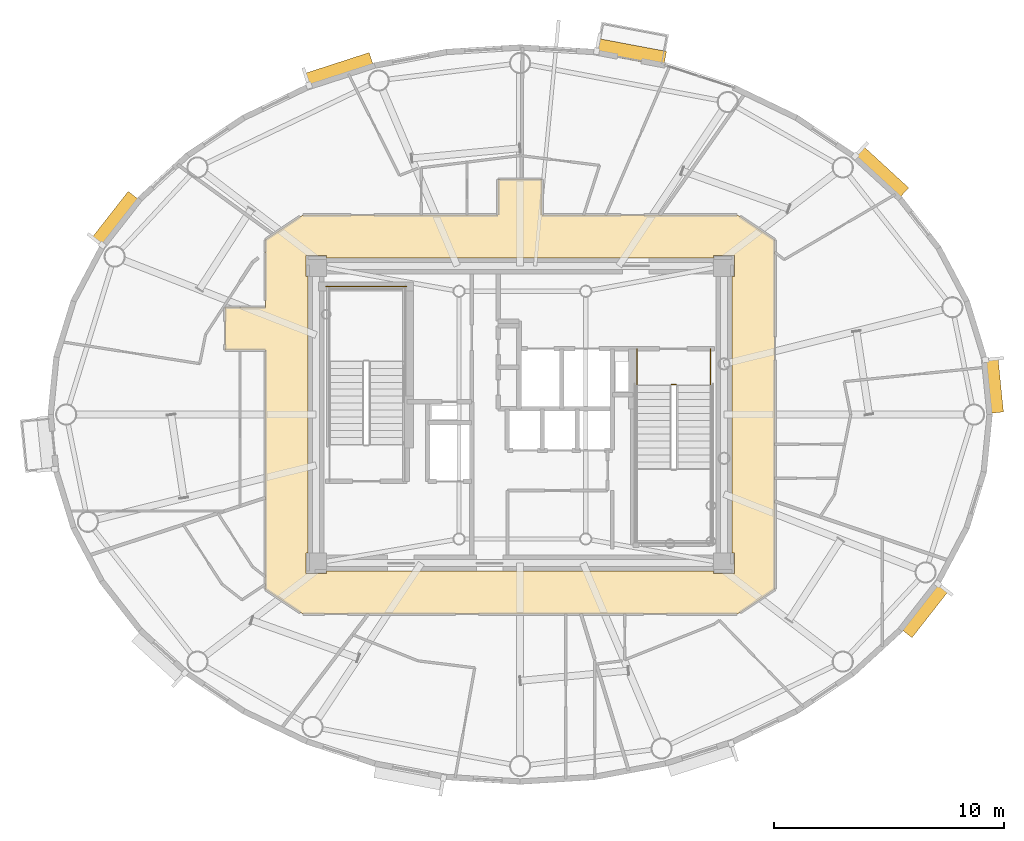
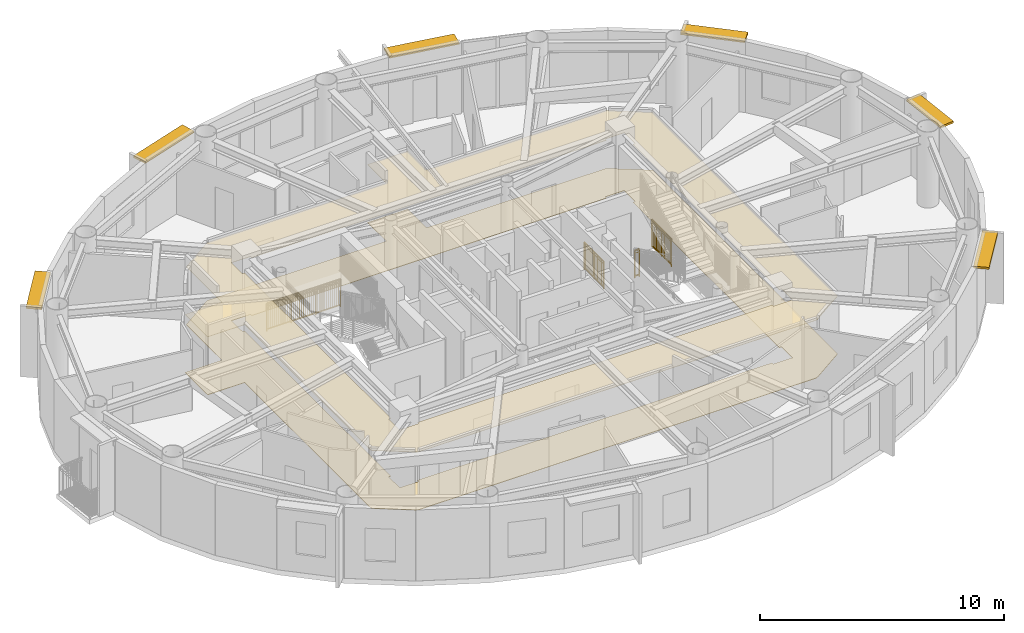
# One storey, part 16 of 17: 6 shading devices, 4 railings, 2 coverings.
"""IFC4 building model written with IfcOpenShell, lengths in metres."""

from ifc_helpers import new_model, si_unit, direction, frame, origin, origin_2d, place, context, subcontext, project, spatial, polyline, rectangle, outline, extrude, source, transform, mapped, material, layer, layer_set, type_object, element, save


model = new_model("IFC4")

# Units and contexts
model_context = context("Model", 3, precision=1e-05, world=origin(), true_north=direction((0.0, 1.0)))
body_context = subcontext(model_context, "Body", "Model", "MODEL_VIEW")
ifc_project = project(units=[si_unit("LENGTHUNIT", "METRE"), si_unit("AREAUNIT", "SQUARE_METRE"), si_unit("VOLUMEUNIT", "CUBIC_METRE"), si_unit("PLANEANGLEUNIT", "RADIAN"), si_unit("MASSUNIT", "GRAM", prefix="KILO")], contexts=[model_context])

# Site, building, storey
site_placement = place(None, origin())
site = spatial("IfcSite", under=ifc_project, at=site_placement, CompositionType="ELEMENT")
building_placement = place(site_placement, origin())
building = spatial("IfcBuilding", under=site, at=building_placement, Name="Linh Dai School and Residence Tower", CompositionType="ELEMENT")
storey_placement = place(building_placement, frame((0.0, 0.0, 327.800048828125)))
storey = spatial("IfcBuildingStorey", under=building, at=storey_placement, Name="L81", CompositionType="ELEMENT", Elevation=327.800048828125)

# Coverings
ifc_material_1 = material(Name="Mineral Fibre Acoustic Suspended Ceiling", Category="masonry")
ifc_layer_1 = layer(ifc_material_1, 0.02001953125)
ifc_layer_set_1 = layer_set([ifc_layer_1], Name="Mineral Fibre Acoustic Suspended Ceiling")
covering_type_1 = type_object("IfcCoveringType", Name="COV-CEIL-AC-20", PredefinedType="CEILING", material=ifc_layer_set_1)
covering_1_placement = place(storey_placement, frame((0.0, 0.0, 2.89990234375)))
element("IfcCovering", 1, at=covering_1_placement, inside=storey, type_object=covering_type_1, Name="L81 Residential Floor Corridor Suspended Ceiling", PredefinedType="CEILING", context=body_context, shape_type="SweptSolid", body=[
    extrude(outline(polyline([(23.199951171875, 31.64990234375), (24.949951171875, 31.64990234375), (24.949951171875, 34.58251953125), (26.458740234375, 35.591796875), (26.580078125, 35.64990234375), (35.050048828125, 35.64990234375), (35.050048828125, 37.199951171875), (36.949951171875, 37.199951171875), (36.949951171875, 35.64990234375), (45.419921875, 35.64990234375), (45.541259765625, 35.591796875), (47.050048828125, 34.58251953125), (47.050048828125, 19.41748046875), (45.541259765625, 18.408203125), (45.419921875, 18.35009765625), (26.580078125, 18.35009765625), (26.458740234375, 18.408203125), (24.949951171875, 19.41748046875), (24.949951171875, 29.800048828125), (23.199951171875, 29.800048828125), (23.199951171875, 31.64990234375)]), holes=[polyline([(27.60009765625, 33.800048828125), (27.60009765625, 33.89990234375), (26.699951171875, 33.89990234375), (26.699951171875, 33.0), (26.800048828125, 33.0), (26.800048828125, 21.0), (26.699951171875, 21.0), (26.699951171875, 20.10009765625), (27.60009765625, 20.10009765625), (27.60009765625, 20.199951171875), (44.39990234375, 20.199951171875), (44.39990234375, 20.10009765625), (45.300048828125, 20.10009765625), (45.300048828125, 21.0), (45.199951171875, 21.0), (45.199951171875, 33.0), (45.300048828125, 33.0), (45.300048828125, 33.89990234375), (44.39990234375, 33.89990234375), (44.39990234375, 33.800048828125), (27.60009765625, 33.800048828125)])]), origin(), (0.0, 0.0, 1.0), 0.02001953125),
])
ifc_material_2 = material(Name="Polished Terrazzo Floor Finish", Category="masonry")
ifc_layer_2 = layer(ifc_material_2, 0.02490234375)
ifc_layer_set_2 = layer_set([ifc_layer_2], Name="Polished Terrazzo Floor Finish")
covering_type_2 = type_object("IfcCoveringType", Name="COV-FLR-TRZ-25", PredefinedType="FLOORING", material=ifc_layer_set_2)
covering_2_placement = place(storey_placement, origin())
element("IfcCovering", 2, at=covering_2_placement, inside=storey, type_object=covering_type_2, Name="L81 Residential Floor Corridor Floor Finish", PredefinedType="FLOORING", context=body_context, shape_type="SweptSolid", body=[
    extrude(outline(polyline([(23.199951171875, 31.64990234375), (24.949951171875, 31.64990234375), (24.949951171875, 34.58251953125), (26.458740234375, 35.591796875), (26.580078125, 35.64990234375), (35.050048828125, 35.64990234375), (35.050048828125, 37.199951171875), (36.949951171875, 37.199951171875), (36.949951171875, 35.64990234375), (45.419921875, 35.64990234375), (45.541259765625, 35.591796875), (47.050048828125, 34.58251953125), (47.050048828125, 19.41748046875), (45.541259765625, 18.408203125), (45.419921875, 18.35009765625), (26.580078125, 18.35009765625), (26.458740234375, 18.408203125), (24.949951171875, 19.41748046875), (24.949951171875, 29.800048828125), (23.199951171875, 29.800048828125), (23.199951171875, 31.64990234375)]), holes=[polyline([(27.60009765625, 33.800048828125), (27.60009765625, 33.89990234375), (26.699951171875, 33.89990234375), (26.699951171875, 33.0), (26.800048828125, 33.0), (26.800048828125, 21.0), (26.699951171875, 21.0), (26.699951171875, 20.10009765625), (27.60009765625, 20.10009765625), (27.60009765625, 20.199951171875), (44.39990234375, 20.199951171875), (44.39990234375, 20.10009765625), (45.300048828125, 20.10009765625), (45.300048828125, 21.0), (45.199951171875, 21.0), (45.199951171875, 33.0), (45.300048828125, 33.0), (45.300048828125, 33.89990234375), (44.39990234375, 33.89990234375), (44.39990234375, 33.800048828125), (27.60009765625, 33.800048828125)])]), origin(), (0.0, 0.0, 1.0), 0.02001953125),
])

# Shading devices
ifc_material_3 = material(Name="Terracotta Ceramic Sunshade", Category="masonry")
ifc_layer_3 = layer(ifc_material_3, 0.10009765625)
ifc_layer_set_3 = layer_set([ifc_layer_3], Name="Terracotta Ceramic Sunshade")
shading_device_type = type_object("IfcShadingDeviceType", Name="SHD-TC-650", PredefinedType="USERDEFINED", material=ifc_layer_set_3)
shared_shape_1 = source(origin(), body_context, "Body", "SweptSolid", [
    extrude(rectangle(XDim=2.3994140625, YDim=0.64990234375, at=origin_2d()), origin(), (0.0, 0.0, 1.0), 0.10009765625),
])
shading_device_1_placement = place(storey_placement, frame((56.53369140625, 28.27197265625, 3.429931640625), z_axis=(0.0, 0.0, 1.0), x_axis=(0.099991763355, -0.994988264886, 0.0)))
element("IfcShadingDevice", 3, at=shading_device_1_placement, inside=storey, type_object=shading_device_type, Name="L81 Terracotta Horizontal Sunshade Band 01", ObjectType="SUNSHADE", PredefinedType="USERDEFINED", context=body_context, shape_type="MappedRepresentation", body=[
    mapped(shared_shape_1, transform((0.0, 0.0, 0.0), x_axis=(1.0, 0.0, 0.0), y_axis=(0.0, 1.0, 0.0), z_axis=(0.0, 0.0, 1.0), scale=1.0)),
])
shared_shape_2 = source(origin(), body_context, "Body", "SweptSolid", [
    extrude(rectangle(XDim=2.7021484375, YDim=0.64990234375, at=origin_2d()), origin(), (0.0, 0.0, 1.0), 0.10009765625),
])
shading_device_2_placement = place(storey_placement, frame((51.6484375, 37.51318359375, 3.429931640625), z_axis=(0.0, 0.0, 1.0), x_axis=(0.73704750866, -0.675840935412, 0.0)))
element("IfcShadingDevice", 4, at=shading_device_2_placement, inside=storey, type_object=shading_device_type, Name="L81 Terracotta Horizontal Sunshade Band 05", ObjectType="SUNSHADE", PredefinedType="USERDEFINED", context=body_context, shape_type="MappedRepresentation", body=[
    mapped(shared_shape_2, transform((0.0, 0.0, 0.0), x_axis=(1.0, 0.0, 0.0), y_axis=(0.0, 1.0, 0.0), z_axis=(0.0, 0.0, 1.0), scale=1.0)),
])
shared_shape_3 = source(origin(), body_context, "Body", "SweptSolid", [
    extrude(rectangle(XDim=3.040283203125, YDim=0.64990234375, at=origin_2d()), origin(), (0.0, 0.0, 1.0), 0.10009765625),
])
shading_device_3_placement = place(storey_placement, frame((40.800537109375, 42.720703125, 3.429931640625), z_axis=(0.0, 0.0, 1.0), x_axis=(0.982779051851, -0.184784564405, 0.0)))
element("IfcShadingDevice", 5, at=shading_device_3_placement, inside=storey, type_object=shading_device_type, Name="L81 Terracotta Horizontal Sunshade Band 09", ObjectType="SUNSHADE", PredefinedType="USERDEFINED", context=body_context, shape_type="MappedRepresentation", body=[
    mapped(shared_shape_3, transform((0.0, 0.0, 0.0), x_axis=(1.0, 0.0, 0.0), y_axis=(0.0, 1.0, 0.0), z_axis=(0.0, 0.0, 1.0), scale=1.0)),
])
shared_shape_4 = source(origin(), body_context, "Body", "SweptSolid", [
    extrude(rectangle(XDim=2.98388671875, YDim=0.64990234375, at=origin_2d()), origin(), (0.0, 0.0, 1.0), 0.10009765625),
])
shading_device_4_placement = place(storey_placement, frame((28.1298828125, 41.939697265625, 3.429931640625), z_axis=(0.0, 0.0, 1.0), x_axis=(0.951203168298, 0.30856528097, 0.0)))
element("IfcShadingDevice", 6, at=shading_device_4_placement, inside=storey, type_object=shading_device_type, Name="L81 Terracotta Horizontal Sunshade Band 13", ObjectType="SUNSHADE", PredefinedType="USERDEFINED", context=body_context, shape_type="MappedRepresentation", body=[
    mapped(shared_shape_4, transform((0.0, 0.0, 0.0), x_axis=(1.0, 0.0, 0.0), y_axis=(0.0, 1.0, 0.0), z_axis=(0.0, 0.0, 1.0), scale=1.0)),
])
shared_shape_5 = source(origin(), body_context, "Body", "SweptSolid", [
    extrude(rectangle(XDim=2.597900390625, YDim=0.64990234375, at=origin_2d()), origin(), (0.0, 0.0, 1.0), 0.10009765625),
])
for number, where, z_axis, x_axis, name in (
    (7, (18.448486328125, 35.4619140625, 3.429931640625), (0.0, 0.0, 1.0), (0.616246583361, 0.787553267085, 0.0), "L81 Terracotta Horizontal Sunshade Band 17"),
    (8, (53.551513671875, 18.5380859375, 3.429931640625), (0.0, 0.0, 1.0), (-0.616246583361, -0.787553267085, 0.0), "L81 Terracotta Horizontal Sunshade Band 37"),
):
    element("IfcShadingDevice", number, at=place(storey_placement, frame(where, z_axis=z_axis, x_axis=x_axis)), inside=storey, type_object=shading_device_type, Name=name, ObjectType="SUNSHADE", PredefinedType="USERDEFINED", context=body_context, shape_type="MappedRepresentation", body=[
        mapped(shared_shape_5, transform((0.0, 0.0, 0.0), x_axis=(1.0, 0.0, 0.0), y_axis=(0.0, 1.0, 0.0), z_axis=(0.0, 0.0, 1.0), scale=1.0)),
    ])

# Railings
ifc_material_4 = material(Name="Structural Steel S355JR", Category="steel")
railing_type = type_object("IfcRailingType", Name="RL-ST-GUARD-1400", PredefinedType="GUARDRAIL", material=ifc_material_4)
shared_shape_6 = source(origin(), body_context, "Body", "SweptSolid", [
    extrude(rectangle(XDim=0.048095703125, YDim=0.048095703125, at=origin_2d()), frame((0.0, 0.0, 1.3759765625), z_axis=(-1.0, 0.0, 0.0), x_axis=(0.0, -1.0, 0.0)), (0.0, 0.0, 1.0), 3.5),
    extrude(rectangle(XDim=0.048095703125, YDim=0.048095703125, at=origin_2d()), frame((0.0, 0.0, 0.10009765625), z_axis=(-1.0, 0.0, 0.0), x_axis=(0.0, -1.0, 0.0)), (0.0, 0.0, 1.0), 3.5),
    extrude(rectangle(XDim=0.030029296875, YDim=0.030029296875, at=origin_2d()), frame((0.0, 0.0, 1.239990234375), z_axis=(-1.0, 0.0, 0.0), x_axis=(0.0, -1.0, 0.0)), (0.0, 0.0, 1.0), 3.5),
    extrude(rectangle(XDim=0.02001953125, YDim=0.02001953125, at=origin_2d()), frame((-0.09716796875, 0.0, 0.10009765625)), (0.0, 0.0, 1.0), 1.251708984375),
    extrude(rectangle(XDim=0.02001953125, YDim=0.02001953125, at=origin_2d()), frame((-0.1943359375, 0.0, 0.10009765625)), (0.0, 0.0, 1.0), 1.251708984375),
    extrude(rectangle(XDim=0.02001953125, YDim=0.02001953125, at=origin_2d()), frame((-0.291748046875, 0.0, 0.10009765625)), (0.0, 0.0, 1.0), 1.251708984375),
    extrude(rectangle(XDim=0.02001953125, YDim=0.02001953125, at=origin_2d()), frame((-0.388916015625, 0.0, 0.10009765625)), (0.0, 0.0, 1.0), 1.251708984375),
    extrude(rectangle(XDim=0.02001953125, YDim=0.02001953125, at=origin_2d()), frame((-0.486083984375, 0.0, 0.10009765625)), (0.0, 0.0, 1.0), 1.251708984375),
    extrude(rectangle(XDim=0.02001953125, YDim=0.02001953125, at=origin_2d()), frame((-0.583251953125, 0.0, 0.10009765625)), (0.0, 0.0, 1.0), 1.251708984375),
    extrude(rectangle(XDim=0.02001953125, YDim=0.02001953125, at=origin_2d()), frame((-0.6806640625, 0.0, 0.10009765625)), (0.0, 0.0, 1.0), 1.251708984375),
    extrude(rectangle(XDim=0.02001953125, YDim=0.02001953125, at=origin_2d()), frame((-0.77783203125, 0.0, 0.10009765625)), (0.0, 0.0, 1.0), 1.251708984375),
    extrude(rectangle(XDim=0.02001953125, YDim=0.02001953125, at=origin_2d()), frame((-0.875, 0.0, 0.10009765625)), (0.0, 0.0, 1.0), 1.251708984375),
    extrude(rectangle(XDim=0.02001953125, YDim=0.02001953125, at=origin_2d()), frame((-0.97216796875, 0.0, 0.10009765625)), (0.0, 0.0, 1.0), 1.251708984375),
    extrude(rectangle(XDim=0.02001953125, YDim=0.02001953125, at=origin_2d()), frame((-1.0693359375, 0.0, 0.10009765625)), (0.0, 0.0, 1.0), 1.251708984375),
    extrude(rectangle(XDim=0.02001953125, YDim=0.02001953125, at=origin_2d()), frame((-1.263916015625, 0.0, 0.10009765625)), (0.0, 0.0, 1.0), 1.251708984375),
    extrude(rectangle(XDim=0.02001953125, YDim=0.02001953125, at=origin_2d()), frame((-1.361083984375, 0.0, 0.10009765625)), (0.0, 0.0, 1.0), 1.251708984375),
    extrude(rectangle(XDim=0.02001953125, YDim=0.02001953125, at=origin_2d()), frame((-1.458251953125, 0.0, 0.10009765625)), (0.0, 0.0, 1.0), 1.251708984375),
    extrude(rectangle(XDim=0.02001953125, YDim=0.02001953125, at=origin_2d()), frame((-1.5556640625, 0.0, 0.10009765625)), (0.0, 0.0, 1.0), 1.251708984375),
    extrude(rectangle(XDim=0.02001953125, YDim=0.02001953125, at=origin_2d()), frame((-1.65283203125, 0.0, 0.10009765625)), (0.0, 0.0, 1.0), 1.251708984375),
    extrude(rectangle(XDim=0.02001953125, YDim=0.02001953125, at=origin_2d()), frame((-1.75, 0.0, 0.10009765625)), (0.0, 0.0, 1.0), 1.251708984375),
    extrude(rectangle(XDim=0.02001953125, YDim=0.02001953125, at=origin_2d()), frame((-1.84716796875, 0.0, 0.10009765625)), (0.0, 0.0, 1.0), 1.251708984375),
    extrude(rectangle(XDim=0.02001953125, YDim=0.02001953125, at=origin_2d()), frame((-1.9443359375, 0.0, 0.10009765625)), (0.0, 0.0, 1.0), 1.251708984375),
    extrude(rectangle(XDim=0.02001953125, YDim=0.02001953125, at=origin_2d()), frame((-2.041748046875, 0.0, 0.10009765625)), (0.0, 0.0, 1.0), 1.251708984375),
    extrude(rectangle(XDim=0.02001953125, YDim=0.02001953125, at=origin_2d()), frame((-2.138916015625, 0.0, 0.10009765625)), (0.0, 0.0, 1.0), 1.251708984375),
    extrude(rectangle(XDim=0.02001953125, YDim=0.02001953125, at=origin_2d()), frame((-2.236083984375, 0.0, 0.10009765625)), (0.0, 0.0, 1.0), 1.251708984375),
    extrude(rectangle(XDim=0.02001953125, YDim=0.02001953125, at=origin_2d()), frame((-2.4306640625, 0.0, 0.10009765625)), (0.0, 0.0, 1.0), 1.251708984375),
    extrude(rectangle(XDim=0.02001953125, YDim=0.02001953125, at=origin_2d()), frame((-2.52783203125, 0.0, 0.10009765625)), (0.0, 0.0, 1.0), 1.251708984375),
    extrude(rectangle(XDim=0.02001953125, YDim=0.02001953125, at=origin_2d()), frame((-2.625, 0.0, 0.10009765625)), (0.0, 0.0, 1.0), 1.251708984375),
    extrude(rectangle(XDim=0.02001953125, YDim=0.02001953125, at=origin_2d()), frame((-2.72216796875, 0.0, 0.10009765625)), (0.0, 0.0, 1.0), 1.251708984375),
    extrude(rectangle(XDim=0.02001953125, YDim=0.02001953125, at=origin_2d()), frame((-2.8193359375, 0.0, 0.10009765625)), (0.0, 0.0, 1.0), 1.251708984375),
    extrude(rectangle(XDim=0.02001953125, YDim=0.02001953125, at=origin_2d()), frame((-2.916748046875, 0.0, 0.10009765625)), (0.0, 0.0, 1.0), 1.251708984375),
    extrude(rectangle(XDim=0.02001953125, YDim=0.02001953125, at=origin_2d()), frame((-3.013916015625, 0.0, 0.10009765625)), (0.0, 0.0, 1.0), 1.251708984375),
    extrude(rectangle(XDim=0.02001953125, YDim=0.02001953125, at=origin_2d()), frame((-3.111083984375, 0.0, 0.10009765625)), (0.0, 0.0, 1.0), 1.251708984375),
    extrude(rectangle(XDim=0.02001953125, YDim=0.02001953125, at=origin_2d()), frame((-3.208251953125, 0.0, 0.10009765625)), (0.0, 0.0, 1.0), 1.251708984375),
    extrude(rectangle(XDim=0.02001953125, YDim=0.02001953125, at=origin_2d()), frame((-3.3056640625, 0.0, 0.10009765625)), (0.0, 0.0, 1.0), 1.251708984375),
    extrude(rectangle(XDim=0.02001953125, YDim=0.02001953125, at=origin_2d()), frame((-3.40283203125, 0.0, 0.10009765625)), (0.0, 0.0, 1.0), 1.251708984375),
    extrude(rectangle(XDim=0.0419921875, YDim=0.0419921875, at=origin_2d()), origin(), (0.0, 0.0, 1.0), 1.3759765625),
    extrude(rectangle(XDim=0.0419921875, YDim=0.0419921875, at=origin_2d()), frame((-1.166748046875, 0.0, 0.0)), (0.0, 0.0, 1.0), 1.3759765625),
    extrude(rectangle(XDim=0.0419921875, YDim=0.0419921875, at=origin_2d()), frame((-2.333251953125, 0.0, 0.0)), (0.0, 0.0, 1.0), 1.3759765625),
    extrude(rectangle(XDim=0.0419921875, YDim=0.0419921875, at=origin_2d()), frame((-3.5, 0.0, 0.0)), (0.0, 0.0, 1.0), 1.3759765625),
])
railing_1_placement = place(storey_placement, frame((31.080078125, 32.550048828125, 0.0)))
element("IfcRailing", 9, at=railing_1_placement, inside=storey, type_object=railing_type, Name="L81 ST1 stair guard 12", PredefinedType="GUARDRAIL", context=body_context, shape_type="MappedRepresentation", body=[
    mapped(shared_shape_6, transform((0.0, 0.0, 0.0), x_axis=(1.0, 0.0, 0.0), y_axis=(0.0, 1.0, 0.0), z_axis=(0.0, 0.0, 1.0), scale=1.0)),
])
shared_shape_7 = source(origin(), body_context, "Body", "SweptSolid", [
    extrude(rectangle(XDim=0.048095703125, YDim=0.048095703125, at=origin_2d()), frame((0.0, 0.0, 1.3759765625), z_axis=(1.0, 0.0, 0.0), x_axis=(0.0, 1.0, 0.0)), (0.0, 0.0, 1.0), 0.199951171875),
    extrude(rectangle(XDim=0.048095703125, YDim=0.048095703125, at=origin_2d()), frame((0.0, 0.0, 0.10009765625), z_axis=(1.0, 0.0, 0.0), x_axis=(0.0, 1.0, 0.0)), (0.0, 0.0, 1.0), 0.199951171875),
    extrude(rectangle(XDim=0.030029296875, YDim=0.030029296875, at=origin_2d()), frame((0.0, 0.0, 1.239990234375), z_axis=(1.0, 0.0, 0.0), x_axis=(0.0, 1.0, 0.0)), (0.0, 0.0, 1.0), 0.199951171875),
    extrude(rectangle(XDim=0.0419921875, YDim=0.0419921875, at=origin_2d()), origin(), (0.0, 0.0, 1.0), 1.3759765625),
    extrude(rectangle(XDim=0.0419921875, YDim=0.0419921875, at=origin_2d()), frame((0.199951171875, 0.0, 0.0)), (0.0, 0.0, 1.0), 1.3759765625),
])
railing_2_placement = place(storey_placement, frame((42.570068359375, 28.300048828125, 0.0)))
element("IfcRailing", 10, at=railing_2_placement, inside=storey, type_object=railing_type, Name="L81 ST2 stair guard 7", PredefinedType="GUARDRAIL", context=body_context, shape_type="MappedRepresentation", body=[
    mapped(shared_shape_7, transform((0.0, 0.0, 0.0), x_axis=(1.0, 0.0, 0.0), y_axis=(0.0, 1.0, 0.0), z_axis=(0.0, 0.0, 1.0), scale=1.0)),
])
shared_shape_8 = source(origin(), body_context, "Body", "SweptSolid", [
    extrude(rectangle(XDim=0.048095703125, YDim=0.048095703125, at=origin_2d()), frame((0.0, 0.0, 1.3759765625), z_axis=(0.0, -1.0, 0.0), x_axis=(1.0, 0.0, 0.0)), (0.0, 0.0, 1.0), 1.60009765625),
    extrude(rectangle(XDim=0.048095703125, YDim=0.048095703125, at=origin_2d()), frame((0.0, 0.0, 0.10009765625), z_axis=(0.0, -1.0, 0.0), x_axis=(1.0, 0.0, 0.0)), (0.0, 0.0, 1.0), 1.60009765625),
    extrude(rectangle(XDim=0.030029296875, YDim=0.030029296875, at=origin_2d()), frame((0.0, 0.0, 1.239990234375), z_axis=(0.0, -1.0, 0.0), x_axis=(1.0, 0.0, 0.0)), (0.0, 0.0, 1.0), 1.60009765625),
    extrude(rectangle(XDim=0.02001953125, YDim=0.02001953125, at=origin_2d()), frame((0.0, -0.09423828125, 0.10009765625)), (0.0, 0.0, 1.0), 1.251708984375),
    extrude(rectangle(XDim=0.02001953125, YDim=0.02001953125, at=origin_2d()), frame((0.0, -0.188232421875, 0.10009765625)), (0.0, 0.0, 1.0), 1.251708984375),
    extrude(rectangle(XDim=0.02001953125, YDim=0.02001953125, at=origin_2d()), frame((0.0, -0.282470703125, 0.10009765625)), (0.0, 0.0, 1.0), 1.251708984375),
    extrude(rectangle(XDim=0.02001953125, YDim=0.02001953125, at=origin_2d()), frame((0.0, -0.37646484375, 0.10009765625)), (0.0, 0.0, 1.0), 1.251708984375),
    extrude(rectangle(XDim=0.02001953125, YDim=0.02001953125, at=origin_2d()), frame((0.0, -0.470703125, 0.10009765625)), (0.0, 0.0, 1.0), 1.251708984375),
    extrude(rectangle(XDim=0.02001953125, YDim=0.02001953125, at=origin_2d()), frame((0.0, -0.564697265625, 0.10009765625)), (0.0, 0.0, 1.0), 1.251708984375),
    extrude(rectangle(XDim=0.02001953125, YDim=0.02001953125, at=origin_2d()), frame((0.0, -0.658935546875, 0.10009765625)), (0.0, 0.0, 1.0), 1.251708984375),
    extrude(rectangle(XDim=0.02001953125, YDim=0.02001953125, at=origin_2d()), frame((0.0, -0.7529296875, 0.10009765625)), (0.0, 0.0, 1.0), 1.251708984375),
    extrude(rectangle(XDim=0.02001953125, YDim=0.02001953125, at=origin_2d()), frame((0.0, -0.84716796875, 0.10009765625)), (0.0, 0.0, 1.0), 1.251708984375),
    extrude(rectangle(XDim=0.02001953125, YDim=0.02001953125, at=origin_2d()), frame((0.0, -0.941162109375, 0.10009765625)), (0.0, 0.0, 1.0), 1.251708984375),
    extrude(rectangle(XDim=0.02001953125, YDim=0.02001953125, at=origin_2d()), frame((0.0, -1.035400390625, 0.10009765625)), (0.0, 0.0, 1.0), 1.251708984375),
    extrude(rectangle(XDim=0.02001953125, YDim=0.02001953125, at=origin_2d()), frame((0.0, -1.12939453125, 0.10009765625)), (0.0, 0.0, 1.0), 1.251708984375),
    extrude(rectangle(XDim=0.02001953125, YDim=0.02001953125, at=origin_2d()), frame((0.0, -1.2236328125, 0.10009765625)), (0.0, 0.0, 1.0), 1.251708984375),
    extrude(rectangle(XDim=0.02001953125, YDim=0.02001953125, at=origin_2d()), frame((0.0, -1.317626953125, 0.10009765625)), (0.0, 0.0, 1.0), 1.251708984375),
    extrude(rectangle(XDim=0.02001953125, YDim=0.02001953125, at=origin_2d()), frame((0.0, -1.411865234375, 0.10009765625)), (0.0, 0.0, 1.0), 1.251708984375),
    extrude(rectangle(XDim=0.02001953125, YDim=0.02001953125, at=origin_2d()), frame((0.0, -1.505859375, 0.10009765625)), (0.0, 0.0, 1.0), 1.251708984375),
    extrude(rectangle(XDim=0.0419921875, YDim=0.0419921875, at=origin_2d()), origin(), (0.0, 0.0, 1.0), 1.3759765625),
    extrude(rectangle(XDim=0.0419921875, YDim=0.0419921875, at=origin_2d()), frame((0.0, -0.800048828125, 0.0)), (0.0, 0.0, 1.0), 1.3759765625),
    extrude(rectangle(XDim=0.0419921875, YDim=0.0419921875, at=origin_2d()), frame((0.0, -1.60009765625, 0.0)), (0.0, 0.0, 1.0), 1.3759765625),
])
for number, where, name in (
    (11, (41.070068359375, 29.85009765625, 0.0), "L81 ST2 stair guard 8"),
    (12, (44.27001953125, 29.85009765625, 0.0), "L81 ST2 stair guard 9"),
):
    element("IfcRailing", number, at=place(storey_placement, frame(where)), inside=storey, type_object=railing_type, Name=name, PredefinedType="GUARDRAIL", context=body_context, shape_type="MappedRepresentation", body=[
        mapped(shared_shape_8, transform((0.0, 0.0, 0.0), x_axis=(1.0, 0.0, 0.0), y_axis=(0.0, 1.0, 0.0), z_axis=(0.0, 0.0, 1.0), scale=1.0)),
    ])

save(model, "model.ifc")
